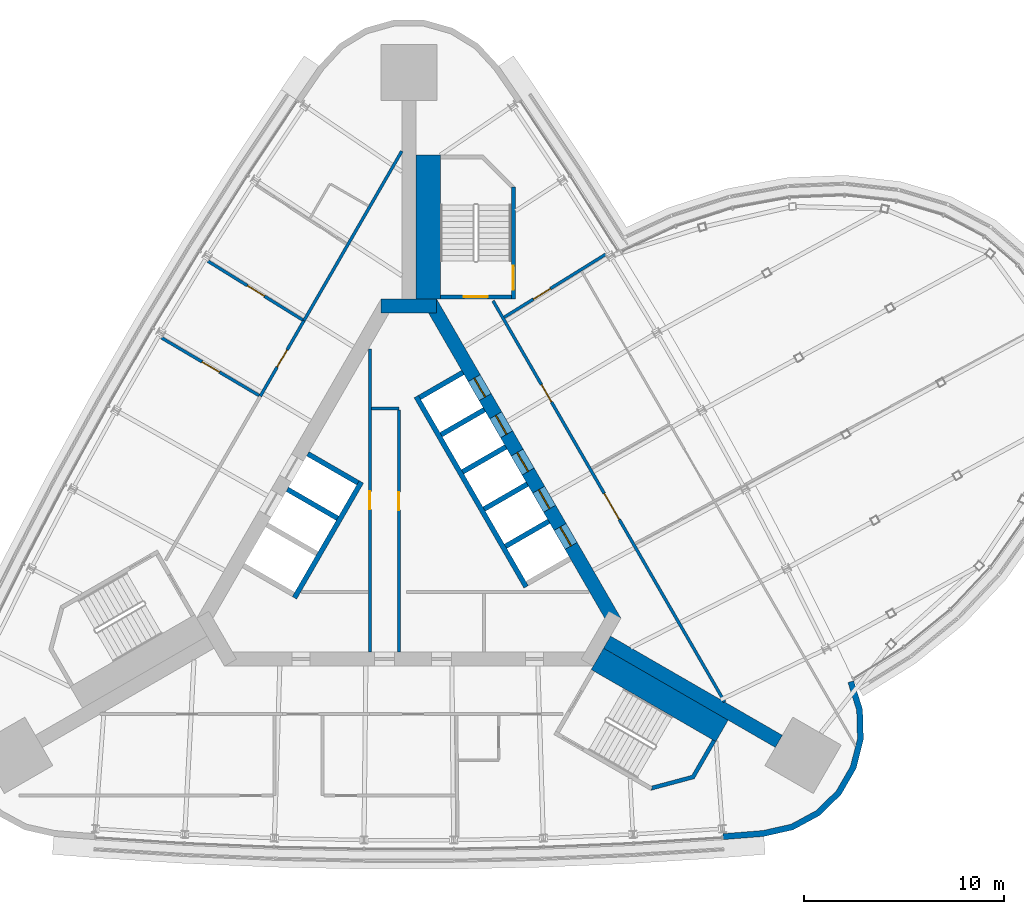
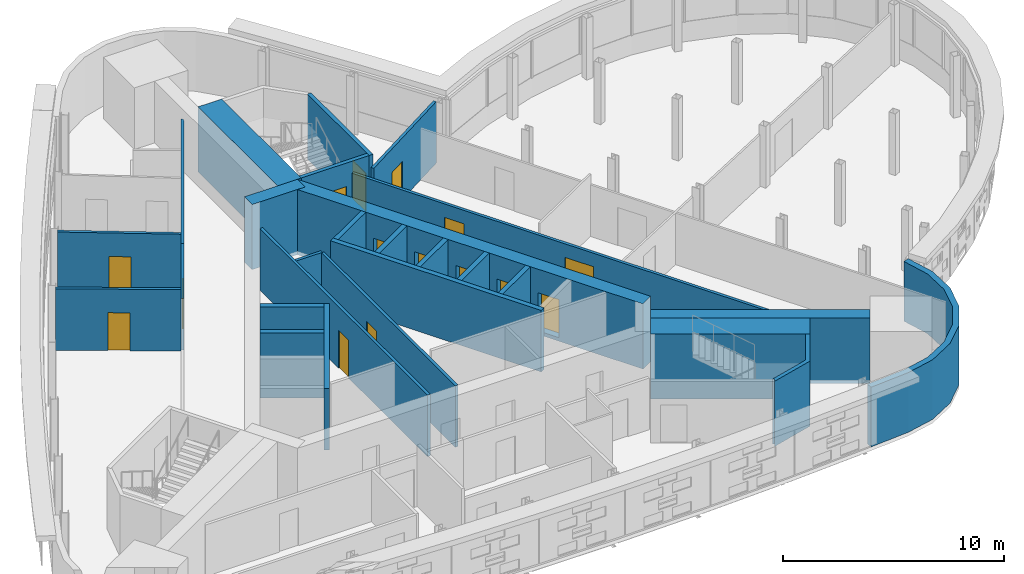
# One storey, part 11 of 15: 27 walls, 15 doors, 15 openings.
"""IFC4 building model written with IfcOpenShell, lengths in metres."""

from ifc_helpers import new_model, si_unit, direction, frame, frame_2d, origin, place, context, subcontext, project, spatial, polyline, rectangle, outline, extrude, material, layer, layer_set, type_object, element, fill, save


model = new_model("IFC4")

# Units and contexts
model_context = context("Model", 3, precision=1e-05, world=origin(), true_north=direction((0.0, 1.0)))
body_context = subcontext(model_context, "Body", "Model", "MODEL_VIEW")
ifc_project = project(units=[si_unit("LENGTHUNIT", "METRE"), si_unit("AREAUNIT", "SQUARE_METRE"), si_unit("VOLUMEUNIT", "CUBIC_METRE"), si_unit("PLANEANGLEUNIT", "RADIAN"), si_unit("MASSUNIT", "GRAM", prefix="KILO")], contexts=[model_context])

# Site, building, storey
site_placement = place(None, origin())
site = spatial("IfcSite", under=ifc_project, at=site_placement, CompositionType="ELEMENT")
building_placement = place(site_placement, origin())
building = spatial("IfcBuilding", under=site, at=building_placement, Name="Noor Cloister Tower", CompositionType="ELEMENT")
storey_placement = place(building_placement, frame((0.0, 0.0, 177.89990234375)))
storey = spatial("IfcBuildingStorey", under=building, at=storey_placement, Name="L45", CompositionType="ELEMENT", Elevation=177.89990234375)

# Wall
ifc_material_1 = material(Name="Concrete C70/85", Category="concrete")
ifc_layer_1 = layer(ifc_material_1, 0.699951171875)
ifc_layer_set_1 = layer_set([ifc_layer_1], Name="Buttress wall 700 C70/85")
wall_type_1 = type_object("IfcWallType", Name="Buttress wall 700 C70/85", PredefinedType="SHEAR", material=ifc_layer_set_1)
wall_1_placement = place(storey_placement, frame((9.921630859375, -5.728271484375, -0.199951171875), z_axis=(0.0, 0.0, 1.0), x_axis=(0.866029553954, -0.499992811627, 0.0)))
element("IfcWall", 1, at=wall_1_placement, inside=storey, type_object=wall_type_1, Name="Buttress wall SE L45", PredefinedType="SHEAR", context=body_context, shape_type="SweptSolid", body=[
    extrude(rectangle(XDim=9.927490234375, YDim=0.699951171875, at=frame_2d((4.9638671875, 0.0))), origin(), (0.0, 0.0, 1.0), 3.60009765625),
])

# Wall, opening, door
ifc_material_2 = material(Name="Concrete C30/37", Category="concrete")
ifc_layer_2 = layer(ifc_material_2, 0.14990234375)
ifc_layer_set_2 = layer_set([ifc_layer_2], Name="Core partition 150 C30/37")
wall_type_2 = type_object("IfcWallType", Name="Core partition 150 C30/37", PredefinedType="PARTITIONING", material=ifc_layer_set_2)
wall_2_placement = place(storey_placement, frame((-1.95361328125, 8.9423828125, 0.0), z_axis=(0.0, 0.0, 1.0), x_axis=(0.0, -1.0, 0.0)))
wall_2 = element("IfcWall", 2, at=wall_2_placement, inside=storey, type_object=wall_type_2, Name="Core room partition L45 2", PredefinedType="PARTITIONING", context=body_context, shape_type="SweptSolid", body=[
    extrude(rectangle(XDim=15.170654296875, YDim=0.14990234375, at=frame_2d((7.58544921875, 0.0))), origin(), (0.0, 0.0, 1.0), 3.400146484375),
])
opening_1_placement = place(wall_2_placement, frame((7.12060546875, 0.0, 0.0)))
opening_1 = element("IfcOpeningElement", 3, at=opening_1_placement, cuts=wall_2, Name="Opening L45-905", PredefinedType="OPENING", context=body_context, shape_type="SweptSolid", body=[
    extrude(rectangle(XDim=0.89990234375, YDim=2.10009765625, at=frame_2d((0.449951171875, 1.050048828125))), frame((0.0, 0.0849609375, 0.0), z_axis=(0.0, -1.0, 0.0), x_axis=(1.0, 0.0, 0.0)), (0.0, 0.0, 1.0), 0.169921875),
])
ifc_material_3 = material(Name="Steel", Category="steel")
door_type_1 = type_object("IfcDoorType", Name="Core door 900 x 2100 FD60", OperationType="SINGLE_SWING_LEFT", PredefinedType="DOOR", material=ifc_material_3)
door_1_placement = place(opening_1_placement, origin())
door_1 = element("IfcDoor", 4, at=door_1_placement, inside=storey, type_object=door_type_1, Name="Core door 5 L45", OperationType="SINGLE_SWING_LEFT", OverallHeight=2.10009765625, OverallWidth=0.89990234375, PredefinedType="DOOR", context=body_context, shape_type="SweptSolid", body=[
    extrude(rectangle(XDim=0.89990234375, YDim=2.10009765625, at=frame_2d((0.449951171875, 1.050048828125))), frame((0.0, 0.02490234375, 0.0), z_axis=(0.0, -1.0, 0.0), x_axis=(1.0, 0.0, 0.0)), (0.0, 0.0, 1.0), 0.050048828125),
])
fill(opening_1, door_1)

# Wall
wall_3_placement = place(storey_placement, frame((-1.878662109375, 5.9716796875, 0.0), z_axis=(0.0, 0.0, 1.0), x_axis=(1.0, 0.0, 0.0)))
element("IfcWall", 5, at=wall_3_placement, inside=storey, type_object=wall_type_2, Name="Core room partition L45 3", PredefinedType="PARTITIONING", context=body_context, shape_type="SweptSolid", body=[
    extrude(rectangle(XDim=1.375, YDim=0.14990234375, at=frame_2d((0.6875, 0.0))), origin(), (0.0, 0.0, 1.0), 3.400146484375),
])

# Wall, opening, door
wall_4_placement = place(storey_placement, frame((-0.503662109375, 5.896728515625, 0.0), z_axis=(0.0, 0.0, 1.0), x_axis=(0.0, -1.0, 0.0)))
wall_4 = element("IfcWall", 6, at=wall_4_placement, inside=storey, type_object=wall_type_2, Name="Core room partition L45 4", PredefinedType="PARTITIONING", context=body_context, shape_type="SweptSolid", body=[
    extrude(rectangle(XDim=12.125, YDim=0.14990234375, at=frame_2d((6.0625, 0.0))), origin(), (0.0, 0.0, 1.0), 3.400146484375),
])
opening_2_placement = place(wall_4_placement, frame((4.113525390625, 0.0, 0.0)))
opening_2 = element("IfcOpeningElement", 7, at=opening_2_placement, cuts=wall_4, Name="Opening L45-906", PredefinedType="OPENING", context=body_context, shape_type="SweptSolid", body=[
    extrude(rectangle(XDim=0.89990234375, YDim=2.10009765625, at=frame_2d((0.449951171875, 1.050048828125))), frame((0.0, 0.0849609375, 0.0), z_axis=(0.0, -1.0, 0.0), x_axis=(1.0, 0.0, 0.0)), (0.0, 0.0, 1.0), 0.169921875),
])
door_2_placement = place(opening_2_placement, origin())
door_2 = element("IfcDoor", 8, at=door_2_placement, inside=storey, type_object=door_type_1, Name="Core door 6 L45", OperationType="SINGLE_SWING_RIGHT", OverallHeight=2.10009765625, OverallWidth=0.89990234375, PredefinedType="DOOR", context=body_context, shape_type="SweptSolid", body=[
    extrude(rectangle(XDim=0.89990234375, YDim=2.10009765625, at=frame_2d((0.449951171875, 1.050048828125))), frame((0.0, 0.02490234375, 0.0), z_axis=(0.0, -1.0, 0.0), x_axis=(1.0, 0.0, 0.0)), (0.0, 0.0, 1.0), 0.050048828125),
])
fill(opening_2, door_2)

# Wall, openings, doors
ifc_material_4 = material(Name="Concrete C70/85", Category="concrete")
ifc_layer_3 = layer(ifc_material_4, 0.699951171875)
ifc_layer_set_3 = layer_set([ifc_layer_3], Name="Core wall 700 C70/85")
wall_type_3 = type_object("IfcWallType", Name="Core wall 700 C70/85", PredefinedType="SHEAR", material=ifc_layer_set_3)
wall_5_placement = place(storey_placement, frame((10.311279296875, -4.703125, -0.199951171875), z_axis=(0.0, 0.0, 1.0), x_axis=(-0.500001446645, 0.866024568562, 0.0)))
wall_5 = element("IfcWall", 9, at=wall_5_placement, inside=storey, type_object=wall_type_3, Name="Core wall L45 3", PredefinedType="SHEAR", context=body_context, shape_type="SweptSolid", body=[
    extrude(rectangle(XDim=18.45751953125, YDim=0.699951171875, at=frame_2d((9.228759765625, 0.0))), origin(), (0.0, 0.0, 1.0), 3.60009765625),
])
opening_3_placement = place(wall_5_placement, frame((4.378662109375, 0.0, 0.199951171875)))
opening_3 = element("IfcOpeningElement", 10, at=opening_3_placement, cuts=wall_5, Name="Opening L45-HR1", PredefinedType="OPENING", context=body_context, shape_type="SweptSolid", body=[
    extrude(rectangle(XDim=1.10009765625, YDim=2.10009765625, at=frame_2d((0.550048828125, 1.050048828125))), frame((0.0, 0.35986328125, 0.0), z_axis=(0.0, -1.0, 0.0), x_axis=(1.0, 0.0, 0.0)), (0.0, 0.0, 1.0), 0.719970703125),
])
opening_4_placement = place(wall_5_placement, frame((6.52880859375, 0.0, 0.199951171875)))
opening_4 = element("IfcOpeningElement", 11, at=opening_4_placement, cuts=wall_5, Name="Opening L45-HR2", PredefinedType="OPENING", context=body_context, shape_type="SweptSolid", body=[
    extrude(rectangle(XDim=1.10009765625, YDim=2.10009765625, at=frame_2d((0.550048828125, 1.050048828125))), frame((0.0, 0.35986328125, 0.0), z_axis=(0.0, -1.0, 0.0), x_axis=(1.0, 0.0, 0.0)), (0.0, 0.0, 1.0), 0.719970703125),
])
opening_5_placement = place(wall_5_placement, frame((8.6787109375, 0.0, 0.199951171875)))
opening_5 = element("IfcOpeningElement", 12, at=opening_5_placement, cuts=wall_5, Name="Opening L45-HR3", PredefinedType="OPENING", context=body_context, shape_type="SweptSolid", body=[
    extrude(rectangle(XDim=1.10009765625, YDim=2.10009765625, at=frame_2d((0.550048828125, 1.050048828125))), frame((0.0, 0.35986328125, 0.0), z_axis=(0.0, -1.0, 0.0), x_axis=(1.0, 0.0, 0.0)), (0.0, 0.0, 1.0), 0.719970703125),
])
opening_6_placement = place(wall_5_placement, frame((10.82861328125, 0.0, 0.199951171875)))
opening_6 = element("IfcOpeningElement", 13, at=opening_6_placement, cuts=wall_5, Name="Opening L45-HR4", PredefinedType="OPENING", context=body_context, shape_type="SweptSolid", body=[
    extrude(rectangle(XDim=1.10009765625, YDim=2.10009765625, at=frame_2d((0.550048828125, 1.050048828125))), frame((0.0, 0.35986328125, 0.0), z_axis=(0.0, -1.0, 0.0), x_axis=(1.0, 0.0, 0.0)), (0.0, 0.0, 1.0), 0.719970703125),
])
opening_7_placement = place(wall_5_placement, frame((12.978759765625, 0.0, 0.199951171875)))
opening_7 = element("IfcOpeningElement", 14, at=opening_7_placement, cuts=wall_5, Name="Opening L45-HR5", PredefinedType="OPENING", context=body_context, shape_type="SweptSolid", body=[
    extrude(rectangle(XDim=1.10009765625, YDim=2.10009765625, at=frame_2d((0.550048828125, 1.050048828125))), frame((0.0, 0.35986328125, 0.0), z_axis=(0.0, -1.0, 0.0), x_axis=(1.0, 0.0, 0.0)), (0.0, 0.0, 1.0), 0.719970703125),
])
ifc_material_5 = material(Name="Stainless steel", Category="steel")
door_type_2 = type_object("IfcDoorType", Name="Lift landing door 1100 x 2100", OperationType="DOUBLE_DOOR_SLIDING", PredefinedType="DOOR", material=ifc_material_5)
door_3_placement = place(opening_3_placement, origin())
door_3 = element("IfcDoor", 15, at=door_3_placement, inside=storey, type_object=door_type_2, Name="Landing door HR1 L45", OperationType="DOUBLE_DOOR_SLIDING", OverallHeight=2.10009765625, OverallWidth=1.10009765625, PredefinedType="DOOR", context=body_context, shape_type="SweptSolid", body=[
    extrude(rectangle(XDim=1.10009765625, YDim=2.10009765625, at=frame_2d((0.550048828125, 1.050048828125))), frame((0.0, 0.02490234375, 0.0), z_axis=(0.0, -1.0, 0.0), x_axis=(1.0, 0.0, 0.0)), (0.0, 0.0, 1.0), 0.050048828125),
])
fill(opening_3, door_3)
door_4_placement = place(opening_4_placement, origin())
door_4 = element("IfcDoor", 16, at=door_4_placement, inside=storey, type_object=door_type_2, Name="Landing door HR2 L45", OperationType="DOUBLE_DOOR_SLIDING", OverallHeight=2.10009765625, OverallWidth=1.10009765625, PredefinedType="DOOR", context=body_context, shape_type="SweptSolid", body=[
    extrude(rectangle(XDim=1.10009765625, YDim=2.10009765625, at=frame_2d((0.550048828125, 1.050048828125))), frame((0.0, 0.02490234375, 0.0), z_axis=(0.0, -1.0, 0.0), x_axis=(1.0, 0.0, 0.0)), (0.0, 0.0, 1.0), 0.050048828125),
])
fill(opening_4, door_4)
door_5_placement = place(opening_5_placement, origin())
door_5 = element("IfcDoor", 17, at=door_5_placement, inside=storey, type_object=door_type_2, Name="Landing door HR3 L45", OperationType="DOUBLE_DOOR_SLIDING", OverallHeight=2.10009765625, OverallWidth=1.10009765625, PredefinedType="DOOR", context=body_context, shape_type="SweptSolid", body=[
    extrude(rectangle(XDim=1.10009765625, YDim=2.10009765625, at=frame_2d((0.550048828125, 1.050048828125))), frame((0.0, 0.02490234375, 0.0), z_axis=(0.0, -1.0, 0.0), x_axis=(1.0, 0.0, 0.0)), (0.0, 0.0, 1.0), 0.050048828125),
])
fill(opening_5, door_5)
door_6_placement = place(opening_6_placement, origin())
door_6 = element("IfcDoor", 18, at=door_6_placement, inside=storey, type_object=door_type_2, Name="Landing door HR4 L45", OperationType="DOUBLE_DOOR_SLIDING", OverallHeight=2.10009765625, OverallWidth=1.10009765625, PredefinedType="DOOR", context=body_context, shape_type="SweptSolid", body=[
    extrude(rectangle(XDim=1.10009765625, YDim=2.10009765625, at=frame_2d((0.550048828125, 1.050048828125))), frame((0.0, 0.02490234375, 0.0), z_axis=(0.0, -1.0, 0.0), x_axis=(1.0, 0.0, 0.0)), (0.0, 0.0, 1.0), 0.050048828125),
])
fill(opening_6, door_6)
door_7_placement = place(opening_7_placement, origin())
door_7 = element("IfcDoor", 19, at=door_7_placement, inside=storey, type_object=door_type_2, Name="Landing door HR5 L45", OperationType="DOUBLE_DOOR_SLIDING", OverallHeight=2.10009765625, OverallWidth=1.10009765625, PredefinedType="DOOR", context=body_context, shape_type="SweptSolid", body=[
    extrude(rectangle(XDim=1.10009765625, YDim=2.10009765625, at=frame_2d((0.550048828125, 1.050048828125))), frame((0.0, 0.02490234375, 0.0), z_axis=(0.0, -1.0, 0.0), x_axis=(1.0, 0.0, 0.0)), (0.0, 0.0, 1.0), 0.050048828125),
])
fill(opening_7, door_7)

# Walls
wall_6_placement = place(storey_placement, frame((1.3857421875, 11.1064453125, -0.199951171875), z_axis=(0.0, 0.0, 1.0), x_axis=(-1.0, 0.0, 0.0)))
element("IfcWall", 20, at=wall_6_placement, inside=storey, type_object=wall_type_3, Name="Core wall L45 4", PredefinedType="SHEAR", context=body_context, shape_type="SweptSolid", body=[
    extrude(rectangle(XDim=2.771484375, YDim=0.699951171875, at=frame_2d((1.3857421875, 0.0))), origin(), (0.0, 0.0, 1.0), 3.60009765625),
])
ifc_material_6 = material(Name="Fire-rated gypsum board partition on steel studs, 150 mm", Category="steel")
ifc_layer_4 = layer(ifc_material_6, 0.14990234375)
ifc_layer_set_4 = layer_set([ifc_layer_4], Name="Fire lobby wall 150")
wall_type_4 = type_object("IfcWallType", Name="Fire lobby wall 150", PredefinedType="PARTITIONING", material=ifc_layer_set_4)
wall_7_placement = place(storey_placement, frame((-0.35009765625, 18.85009765625, 0.0), z_axis=(0.0, 0.0, 1.0), x_axis=(-0.499985463203, -0.866033796445, 0.0)))
element("IfcWall", 21, at=wall_7_placement, inside=storey, type_object=wall_type_4, Name="Wall L45-W18", PredefinedType="PARTITIONING", context=body_context, shape_type="SweptSolid", body=[
    extrude(rectangle(XDim=9.802978515625, YDim=0.14990234375, at=frame_2d((4.9013671875, 0.0))), origin(), (0.0, 0.0, 1.0), 2.84716796875),
])

# Wall, opening, door
wall_8_placement = place(storey_placement, frame((-5.25146484375, 10.3603515625, 0.0), z_axis=(0.0, 0.0, 1.0), x_axis=(-0.500012937857, -0.86601793398, 0.0)))
wall_8 = element("IfcWall", 22, at=wall_8_placement, inside=storey, type_object=wall_type_4, Name="Wall L45-W22", PredefinedType="PARTITIONING", context=body_context, shape_type="SweptSolid", body=[
    extrude(rectangle(XDim=4.365234375, YDim=0.14990234375, at=frame_2d((2.1826171875, 0.0))), origin(), (0.0, 0.0, 1.0), 2.84716796875),
])
opening_8_placement = place(wall_8_placement, frame((1.6826171875, 0.0, 0.0)))
opening_8 = element("IfcOpeningElement", 23, at=opening_8_placement, cuts=wall_8, Name="Opening L45-015", PredefinedType="OPENING", context=body_context, shape_type="SweptSolid", body=[
    extrude(rectangle(XDim=1.0, YDim=2.10009765625, at=frame_2d((0.5, 1.050048828125))), frame((0.0, 0.0849609375, 0.0), z_axis=(0.0, -1.0, 0.0), x_axis=(1.0, 0.0, 0.0)), (0.0, 0.0, 1.0), 0.169921875),
])
ifc_material_7 = material(Name="Timber door leaf with steel frame", Category="steel")
door_type_3 = type_object("IfcDoorType", Name="Fire lobby door 1000", OperationType="NOTDEFINED", PredefinedType="DOOR", material=ifc_material_7)
door_8_placement = place(opening_8_placement, origin())
door_8 = element("IfcDoor", 24, at=door_8_placement, inside=storey, type_object=door_type_3, Name="Door L45-015", OperationType="SINGLE_SWING_LEFT", OverallHeight=2.10009765625, OverallWidth=1.0, PredefinedType="DOOR", context=body_context, shape_type="SweptSolid", body=[
    extrude(rectangle(XDim=1.0, YDim=2.10009765625, at=frame_2d((0.5, 1.050048828125))), frame((0.0, 0.02490234375, 0.0), z_axis=(0.0, -1.0, 0.0), x_axis=(1.0, 0.0, 0.0)), (0.0, 0.0, 1.0), 0.050048828125),
])
fill(opening_8, door_8)

# Wall, openings, doors
ifc_material_8 = material(Name="Gypsum board partition on steel studs, 150 mm", Category="steel")
ifc_layer_5 = layer(ifc_material_8, 0.14990234375)
ifc_layer_set_5 = layer_set([ifc_layer_5], Name="Flat wall 150")
wall_type_5 = type_object("IfcWallType", Name="Flat wall 150", PredefinedType="PARTITIONING", material=ifc_layer_set_5)
wall_9_placement = place(storey_placement, frame((15.806884765625, -8.721923828125, 0.0), z_axis=(0.0, 0.0, 1.0), x_axis=(-0.500001078133, 0.866024781323, 0.0)))
wall_9 = element("IfcWall", 25, at=wall_9_placement, inside=storey, type_object=wall_type_5, Name="Wall L45-W01", PredefinedType="PARTITIONING", context=body_context, shape_type="SweptSolid", body=[
    extrude(rectangle(XDim=23.1845703125, YDim=0.14990234375, at=frame_2d((11.59228515625, 0.0))), origin(), (0.0, 0.0, 1.0), 2.84716796875),
])
opening_9_placement = place(wall_9_placement, frame((10.55126953125, 0.0, 0.0)))
opening_9 = element("IfcOpeningElement", 26, at=opening_9_placement, cuts=wall_9, Name="Opening L45-001", PredefinedType="OPENING", context=body_context, shape_type="SweptSolid", body=[
    extrude(rectangle(XDim=1.5, YDim=2.10009765625, at=frame_2d((0.75, 1.050048828125))), frame((0.0, 0.0849609375, 0.0), z_axis=(0.0, -1.0, 0.0), x_axis=(1.0, 0.0, 0.0)), (0.0, 0.0, 1.0), 0.169921875),
])
opening_10_placement = place(wall_9_placement, frame((17.335205078125, 0.0, 0.0)))
opening_10 = element("IfcOpeningElement", 27, at=opening_10_placement, cuts=wall_9, Name="Opening L45-006", PredefinedType="OPENING", context=body_context, shape_type="SweptSolid", body=[
    extrude(rectangle(XDim=1.0, YDim=2.10009765625, at=frame_2d((0.5, 1.050048828125))), frame((0.0, 0.0849609375, 0.0), z_axis=(0.0, -1.0, 0.0), x_axis=(1.0, 0.0, 0.0)), (0.0, 0.0, 1.0), 0.169921875),
])
ifc_material_9 = material(Name="Timber door leaf with steel frame", Category="steel")
door_type_4 = type_object("IfcDoorType", Name="Double door 1500 FD60", OperationType="NOTDEFINED", PredefinedType="DOOR", material=ifc_material_9)
door_9_placement = place(opening_9_placement, origin())
door_9 = element("IfcDoor", 28, at=door_9_placement, inside=storey, type_object=door_type_4, Name="Door L45-001", OperationType="DOUBLE_DOOR_SINGLE_SWING", OverallHeight=2.10009765625, OverallWidth=1.5, PredefinedType="DOOR", context=body_context, shape_type="SweptSolid", body=[
    extrude(rectangle(XDim=1.5, YDim=2.10009765625, at=frame_2d((0.75, 1.050048828125))), frame((0.0, 0.02490234375, 0.0), z_axis=(0.0, -1.0, 0.0), x_axis=(1.0, 0.0, 0.0)), (0.0, 0.0, 1.0), 0.050048828125),
])
fill(opening_9, door_9)
ifc_material_10 = material(Name="Timber door leaf with steel frame", Category="steel")
door_type_5 = type_object("IfcDoorType", Name="Interior door 1000 FD60", OperationType="NOTDEFINED", PredefinedType="DOOR", material=ifc_material_10)
door_10_placement = place(opening_10_placement, origin())
door_10 = element("IfcDoor", 29, at=door_10_placement, inside=storey, type_object=door_type_5, Name="Door L45-006", OperationType="SINGLE_SWING_RIGHT", OverallHeight=2.10009765625, OverallWidth=1.0, PredefinedType="DOOR", context=body_context, shape_type="SweptSolid", body=[
    extrude(rectangle(XDim=1.0, YDim=2.10009765625, at=frame_2d((0.5, 1.050048828125))), frame((0.0, 0.02490234375, 0.0), z_axis=(0.0, -1.0, 0.0), x_axis=(1.0, 0.0, 0.0)), (0.0, 0.0, 1.0), 0.050048828125),
])
fill(opening_10, door_10)

# Wall, opening, door
wall_10_placement = place(storey_placement, frame((9.85595703125, 13.6884765625, 0.0), z_axis=(0.0, 0.0, 1.0), x_axis=(-0.849698198213, -0.527269354271, 0.0)))
wall_10 = element("IfcWall", 30, at=wall_10_placement, inside=storey, type_object=wall_type_5, Name="Wall L45-W02", PredefinedType="PARTITIONING", context=body_context, shape_type="SweptSolid", body=[
    extrude(rectangle(XDim=5.9794921875, YDim=0.14990234375, at=frame_2d((2.98974609375, 0.0))), origin(), (0.0, 0.0, 1.0), 3.400146484375),
])
opening_11_placement = place(wall_10_placement, frame((3.263671875, 0.0, 0.0)))
opening_11 = element("IfcOpeningElement", 31, at=opening_11_placement, cuts=wall_10, Name="Opening L45-007", PredefinedType="OPENING", context=body_context, shape_type="SweptSolid", body=[
    extrude(rectangle(XDim=1.0, YDim=2.10009765625, at=frame_2d((0.5, 1.050048828125))), frame((0.0, 0.0849609375, 0.0), z_axis=(0.0, -1.0, 0.0), x_axis=(1.0, 0.0, 0.0)), (0.0, 0.0, 1.0), 0.169921875),
])
door_11_placement = place(opening_11_placement, origin())
door_11 = element("IfcDoor", 32, at=door_11_placement, inside=storey, type_object=door_type_5, Name="Door L45-007", OperationType="SINGLE_SWING_LEFT", OverallHeight=2.10009765625, OverallWidth=1.0, PredefinedType="DOOR", context=body_context, shape_type="SweptSolid", body=[
    extrude(rectangle(XDim=1.0, YDim=2.10009765625, at=frame_2d((0.5, 1.050048828125))), frame((0.0, 0.02490234375, 0.0), z_axis=(0.0, -1.0, 0.0), x_axis=(1.0, 0.0, 0.0)), (0.0, 0.0, 1.0), 0.050048828125),
])
fill(opening_11, door_11)

wall_11_placement = place(storey_placement, frame((-10.06689453125, 13.348388671875, 0.0), z_axis=(0.0, 0.0, 1.0), x_axis=(0.84969615017, -0.527272654692, 0.0)))
wall_11 = element("IfcWall", 33, at=wall_11_placement, inside=storey, type_object=wall_type_5, Name="Wall L45-W20", PredefinedType="PARTITIONING", context=body_context, shape_type="SweptSolid", body=[
    extrude(rectangle(XDim=5.592041015625, YDim=0.14990234375, at=frame_2d((2.7958984375, 0.0))), origin(), (0.0, 0.0, 1.0), 3.400146484375),
])
opening_12_placement = place(wall_11_placement, frame((2.33349609375, 0.0, 0.0)))
opening_12 = element("IfcOpeningElement", 34, at=opening_12_placement, cuts=wall_11, Name="Opening L45-018", PredefinedType="OPENING", context=body_context, shape_type="SweptSolid", body=[
    extrude(rectangle(XDim=1.0, YDim=2.10009765625, at=frame_2d((0.5, 1.050048828125))), frame((0.0, 0.0849609375, 0.0), z_axis=(0.0, -1.0, 0.0), x_axis=(1.0, 0.0, 0.0)), (0.0, 0.0, 1.0), 0.169921875),
])
ifc_material_11 = material(Name="Timber door leaf with steel frame", Category="steel")
door_type_6 = type_object("IfcDoorType", Name="Flat entrance door 1000", OperationType="NOTDEFINED", PredefinedType="DOOR", material=ifc_material_11)
door_12_placement = place(opening_12_placement, origin())
door_12 = element("IfcDoor", 35, at=door_12_placement, inside=storey, type_object=door_type_6, Name="Door L45-018", OperationType="SINGLE_SWING_RIGHT", OverallHeight=2.10009765625, OverallWidth=1.0, PredefinedType="DOOR", context=body_context, shape_type="SweptSolid", body=[
    extrude(rectangle(XDim=1.0, YDim=2.10009765625, at=frame_2d((0.5, 1.050048828125))), frame((0.0, 0.02490234375, 0.0), z_axis=(0.0, -1.0, 0.0), x_axis=(1.0, 0.0, 0.0)), (0.0, 0.0, 1.0), 0.050048828125),
])
fill(opening_12, door_12)

wall_12_placement = place(storey_placement, frame((-12.3876953125, 9.510498046875, 0.0), z_axis=(0.0, 0.0, 1.0), x_axis=(0.860691995407, -0.509126005073, 0.0)))
wall_12 = element("IfcWall", 36, at=wall_12_placement, inside=storey, type_object=wall_type_5, Name="Wall L45-W21", PredefinedType="PARTITIONING", context=body_context, shape_type="SweptSolid", body=[
    extrude(rectangle(XDim=5.680419921875, YDim=0.14990234375, at=frame_2d((2.84033203125, 0.0))), origin(), (0.0, 0.0, 1.0), 3.400146484375),
])
opening_13_placement = place(wall_12_placement, frame((2.377685546875, 0.0, 0.0)))
opening_13 = element("IfcOpeningElement", 37, at=opening_13_placement, cuts=wall_12, Name="Opening L45-019", PredefinedType="OPENING", context=body_context, shape_type="SweptSolid", body=[
    extrude(rectangle(XDim=1.0, YDim=2.10009765625, at=frame_2d((0.5, 1.050048828125))), frame((0.0, 0.0849609375, 0.0), z_axis=(0.0, -1.0, 0.0), x_axis=(1.0, 0.0, 0.0)), (0.0, 0.0, 1.0), 0.169921875),
])
door_13_placement = place(opening_13_placement, origin())
door_13 = element("IfcDoor", 38, at=door_13_placement, inside=storey, type_object=door_type_5, Name="Door L45-019", OperationType="SINGLE_SWING_LEFT", OverallHeight=2.10009765625, OverallWidth=1.0, PredefinedType="DOOR", context=body_context, shape_type="SweptSolid", body=[
    extrude(rectangle(XDim=1.0, YDim=2.10009765625, at=frame_2d((0.5, 1.050048828125))), frame((0.0, 0.02490234375, 0.0), z_axis=(0.0, -1.0, 0.0), x_axis=(1.0, 0.0, 0.0)), (0.0, 0.0, 1.0), 0.050048828125),
])
fill(opening_13, door_13)

# Walls
ifc_material_12 = material(Name="Limestone", Category="masonry")
ifc_layer_6 = layer(ifc_material_12, 0.300048828125)
ifc_layer_set_6 = layer_set([ifc_layer_6], Name="Limestone cladding 300")
wall_type_6 = type_object("IfcWallType", Name="Limestone cladding 300", PredefinedType="NOTDEFINED", material=ifc_layer_set_6)
wall_13_placement = place(storey_placement, origin())
element("IfcWall", 39, at=wall_13_placement, inside=storey, type_object=wall_type_6, Name="Limestone pier cladding L45 2.1", PredefinedType="NOTDEFINED", context=body_context, shape_type="SweptSolid", body=[
    extrude(outline(polyline([(15.735595703125, -15.611572265625), (17.76806640625, -15.450927734375), (19.234130859375, -15.120849609375), (20.55517578125, -14.405029296875), (21.632080078125, -13.35693359375), (22.38330078125, -12.055419921875), (22.752685546875, -10.598876953125), (22.712158203125, -9.096923828125), (22.264892578125, -7.662353515625), (21.978515625, -7.75146484375), (22.413330078125, -9.146484375), (22.45166015625, -10.5654296875), (22.102783203125, -11.94140625), (21.39306640625, -13.1708984375), (20.375732421875, -14.160888671875), (19.127685546875, -14.83740234375), (17.72314453125, -15.153564453125), (15.7119140625, -15.3125), (15.735595703125, -15.611572265625)])), origin(), (0.0, 0.0, 1.0), 3.300048828125),
])
ifc_material_13 = material(Name="Concrete C70/85", Category="concrete")
ifc_layer_7 = layer(ifc_material_13, 0.25)
ifc_layer_set_7 = layer_set([ifc_layer_7], Name="Shaft wall 250 C70/85")
wall_type_7 = type_object("IfcWallType", Name="Shaft wall 250 C70/85", PredefinedType="PARTITIONING", material=ifc_layer_set_7)
wall_14_placement = place(storey_placement, frame((7.00634765625, 0.3212890625, -0.199951171875), z_axis=(0.0, 0.0, 1.0), x_axis=(-0.866022959057, -0.500004234368, 0.0)))
element("IfcWall", 40, at=wall_14_placement, inside=storey, type_object=wall_type_7, Name="Lift shaft wall L45 NE 2", PredefinedType="PARTITIONING", context=body_context, shape_type="SweptSolid", body=[
    extrude(rectangle(XDim=2.5, YDim=0.25, at=frame_2d((1.25, 0.0))), origin(), (0.0, 0.0, 1.0), 3.60009765625),
])
wall_15_placement = place(storey_placement, frame((5.931396484375, 2.18310546875, -0.199951171875), z_axis=(0.0, 0.0, 1.0), x_axis=(-0.866047370643, -0.499961950354, 0.0)))
element("IfcWall", 41, at=wall_15_placement, inside=storey, type_object=wall_type_7, Name="Lift shaft wall L45 NE 3", PredefinedType="PARTITIONING", context=body_context, shape_type="SweptSolid", body=[
    extrude(rectangle(XDim=2.500244140625, YDim=0.25, at=frame_2d((1.25, 0.0))), origin(), (0.0, 0.0, 1.0), 3.60009765625),
])
for number, where, z_axis, x_axis, name in (
    (42, (4.856201171875, 4.045166015625, -0.199951171875), (0.0, 0.0, 1.0), (-0.866022959057, -0.500004234368, 0.0), "Lift shaft wall L45 NE 4"),
    (43, (3.78125, 5.906982421875, -0.199951171875), (0.0, 0.0, 1.0), (-0.866022959057, -0.500004234368, 0.0), "Lift shaft wall L45 NE 5"),
    (44, (2.706298828125, 7.76904296875, -0.199951171875), (0.0, 0.0, 1.0), (-0.866022959057, -0.500004234368, 0.0), "Lift shaft wall L45 NE 6"),
):
    element("IfcWall", number, at=place(storey_placement, frame(where, z_axis=z_axis, x_axis=x_axis)), inside=storey, type_object=wall_type_7, Name=name, PredefinedType="PARTITIONING", context=body_context, shape_type="SweptSolid", body=[
        extrude(rectangle(XDim=2.5, YDim=0.25, at=frame_2d((1.25, 0.0))), origin(), (0.0, 0.0, 1.0), 3.60009765625),
    ])
wall_16_placement = place(storey_placement, frame((5.870361328125, -2.96142578125, 0.0), z_axis=(0.0, 0.0, 1.0), x_axis=(-0.50000615651, 0.866021849293, 0.0)))
element("IfcWall", 45, at=wall_16_placement, inside=storey, type_object=wall_type_7, Name="Lift shaft back wall L45 NE", PredefinedType="PARTITIONING", context=body_context, shape_type="SweptSolid", body=[
    extrude(rectangle(XDim=10.999755859375, YDim=0.25, at=frame_2d((5.5, 0.0))), origin(), (0.0, 0.0, 1.0), 3.400146484375),
])
for number, where, z_axis, x_axis, name in (
    (46, (-5.056396484375, 3.69873046875, -0.199951171875), (0.0, 0.0, 1.0), (0.866032775405, -0.499987231761, 0.0), "Lift shaft wall L45 NW 3"),
    (47, (-6.081298828125, 1.92333984375, -0.199951171875), (0.0, 0.0, 1.0), (0.866032775405, -0.499987231761, 0.0), "Lift shaft wall L45 NW 4"),
):
    element("IfcWall", number, at=place(storey_placement, frame(where, z_axis=z_axis, x_axis=x_axis)), inside=storey, type_object=wall_type_7, Name=name, PredefinedType="PARTITIONING", context=body_context, shape_type="SweptSolid", body=[
        extrude(rectangle(XDim=2.89990234375, YDim=0.25, at=frame_2d((1.449951171875, 0.0))), origin(), (0.0, 0.0, 1.0), 3.60009765625),
    ])
wall_17_placement = place(storey_placement, frame((-2.3740234375, 2.29443359375, 0.0), z_axis=(0.0, 0.0, 1.0), x_axis=(-0.500003174267, -0.866023571113, 0.0)))
element("IfcWall", 48, at=wall_17_placement, inside=storey, type_object=wall_type_7, Name="Lift shaft back wall L45 NW", PredefinedType="PARTITIONING", context=body_context, shape_type="SweptSolid", body=[
    extrude(rectangle(XDim=6.7001953125, YDim=0.25, at=frame_2d((3.35009765625, 0.0))), origin(), (0.0, 0.0, 1.0), 3.400146484375),
])
ifc_material_14 = material(Name="Concrete C70/85", Category="concrete")
ifc_layer_8 = layer(ifc_material_14, 1.236083984375)
ifc_layer_set_8 = layer_set([ifc_layer_8], Name="Stair enclosure wall 1236 C70/85")
wall_type_8 = type_object("IfcWallType", Name="Stair enclosure wall 1236 C70/85", PredefinedType="SHEAR", material=ifc_layer_set_8)
for number, where, z_axis, x_axis, name in (
    (49, (0.9677734375, 11.456298828125, -0.199951171875), (0.0, 0.0, 1.0), (0.0, 1.0, 0.0), "Stair enclosure wall ST1 L45 riser side"),
    (50, (9.4375, -6.56640625, -0.199951171875), (0.0, 0.0, 1.0), (0.866026919366, -0.499997374926, 0.0), "Stair enclosure wall ST3 L45 riser side"),
):
    element("IfcWall", number, at=place(storey_placement, frame(where, z_axis=z_axis, x_axis=x_axis)), inside=storey, type_object=wall_type_8, Name=name, PredefinedType="SHEAR", context=body_context, shape_type="SweptSolid", body=[
        extrude(rectangle(XDim=7.2001953125, YDim=1.235595703125, at=frame_2d((3.60009765625, 0.0))), origin(), (0.0, 0.0, 1.0), 3.60009765625),
    ])

# Wall, opening, door
ifc_material_15 = material(Name="Concrete C70/85", Category="concrete")
ifc_layer_9 = layer(ifc_material_15, 0.199951171875)
ifc_layer_set_9 = layer_set([ifc_layer_9], Name="Stair enclosure wall 200 C70/85")
wall_type_9 = type_object("IfcWallType", Name="Stair enclosure wall 200 C70/85", PredefinedType="SHEAR", material=ifc_layer_set_9)
wall_18_placement = place(storey_placement, frame((5.135498046875, 11.556396484375, -0.199951171875), z_axis=(0.0, 0.0, 1.0), x_axis=(-1.0, 0.0, 0.0)))
wall_18 = element("IfcWall", 51, at=wall_18_placement, inside=storey, type_object=wall_type_9, Name="Stair enclosure wall ST1 L45 near end", PredefinedType="SHEAR", context=body_context, shape_type="SweptSolid", body=[
    extrude(rectangle(XDim=3.5498046875, YDim=0.199951171875, at=frame_2d((1.77490234375, 0.0))), origin(), (0.0, 0.0, 1.0), 3.60009765625),
])
opening_14_placement = place(wall_18_placement, frame((1.175048828125, 0.0, 0.199951171875)))
opening_14 = element("IfcOpeningElement", 52, at=opening_14_placement, cuts=wall_18, Name="Opening L45-ST1L", PredefinedType="OPENING", context=body_context, shape_type="SweptSolid", body=[
    extrude(rectangle(XDim=1.199951171875, YDim=2.10009765625, at=frame_2d((0.60009765625, 1.050048828125))), frame((0.0, 0.10986328125, 0.0), z_axis=(0.0, -1.0, 0.0), x_axis=(1.0, 0.0, 0.0)), (0.0, 0.0, 1.0), 0.219970703125),
])
ifc_material_16 = material(Name="Steel", Category="steel")
door_type_7 = type_object("IfcDoorType", Name="Stair door 1200 x 2100 FD120", OperationType="SINGLE_SWING_LEFT", PredefinedType="DOOR", material=ifc_material_16)
door_14_placement = place(opening_14_placement, origin())
door_14 = element("IfcDoor", 53, at=door_14_placement, inside=storey, type_object=door_type_7, Name="Stair door ST1 L45", OperationType="SINGLE_SWING_RIGHT", OverallHeight=2.10009765625, OverallWidth=1.199951171875, PredefinedType="DOOR", context=body_context, shape_type="SweptSolid", body=[
    extrude(rectangle(XDim=1.199951171875, YDim=2.10009765625, at=frame_2d((0.60009765625, 1.050048828125))), frame((0.0, 0.02490234375, 0.0), z_axis=(0.0, -1.0, 0.0), x_axis=(1.0, 0.0, 0.0)), (0.0, 0.0, 1.0), 0.050048828125),
])
fill(opening_14, door_14)

wall_19_placement = place(storey_placement, frame((5.235595703125, 11.456298828125, -0.199951171875), z_axis=(0.0, 0.0, 1.0), x_axis=(0.0, 1.0, 0.0)))
wall_19 = element("IfcWall", 54, at=wall_19_placement, inside=storey, type_object=wall_type_9, Name="Stair enclosure wall ST1 L45 outer side", PredefinedType="SHEAR", context=body_context, shape_type="SweptSolid", body=[
    extrude(rectangle(XDim=5.60009765625, YDim=0.199951171875, at=frame_2d((2.800048828125, 0.0))), origin(), (0.0, 0.0, 1.0), 3.60009765625),
])
opening_15_placement = place(wall_19_placement, frame((0.449951171875, 0.0, 0.199951171875)))
opening_15 = element("IfcOpeningElement", 55, at=opening_15_placement, cuts=wall_19, Name="Opening L45-ST1C", PredefinedType="OPENING", context=body_context, shape_type="SweptSolid", body=[
    extrude(rectangle(XDim=1.199951171875, YDim=2.10009765625, at=frame_2d((0.60009765625, 1.050048828125))), frame((0.0, 0.10986328125, 0.0), z_axis=(0.0, -1.0, 0.0), x_axis=(1.0, 0.0, 0.0)), (0.0, 0.0, 1.0), 0.219970703125),
])
door_15_placement = place(opening_15_placement, origin())
door_15 = element("IfcDoor", 56, at=door_15_placement, inside=storey, type_object=door_type_7, Name="Stair door ST1 L45", OperationType="SINGLE_SWING_LEFT", OverallHeight=2.10009765625, OverallWidth=1.199951171875, PredefinedType="DOOR", context=body_context, shape_type="SweptSolid", body=[
    extrude(rectangle(XDim=1.199951171875, YDim=2.10009765625, at=frame_2d((0.60009765625, 1.050048828125))), frame((0.0, 0.02490234375, 0.0), z_axis=(0.0, -1.0, 0.0), x_axis=(1.0, 0.0, 0.0)), (0.0, 0.0, 1.0), 0.050048828125),
])
fill(opening_15, door_15)

# Wall
ifc_material_17 = material(Name="Concrete C70/85", Category="concrete")
wall_type_10 = type_object("IfcWallType", Name="Stair far end wall C70/85", PredefinedType="SHEAR", material=ifc_material_17)
wall_20_placement = place(storey_placement, frame((0.0, 0.0, -0.199951171875)))
element("IfcWall", 57, at=wall_20_placement, inside=storey, type_object=wall_type_10, Name="Stair enclosure wall ST3 L45 far end", PredefinedType="SHEAR", context=body_context, shape_type="SweptSolid", body=[
    extrude(outline(polyline([(12.103515625, -13.14892578125), (14.2890625, -12.5634765625), (15.364013671875, -10.701416015625), (15.19091796875, -10.601318359375), (14.1572265625, -12.3916015625), (12.131591796875, -12.934326171875), (12.20361328125, -12.975830078125), (12.20361328125, -12.975830078125), (12.20361328125, -12.975830078125), (12.20361328125, -12.975830078125), (12.20361328125, -12.975830078125), (12.20361328125, -12.975830078125), (12.20361328125, -12.975830078125), (12.20361328125, -12.975830078125), (12.20361328125, -12.975830078125), (12.20361328125, -12.975830078125), (12.20361328125, -12.975830078125), (12.20361328125, -12.975830078125), (12.20361328125, -12.975830078125), (12.20361328125, -12.975830078125), (12.20361328125, -12.975830078125), (12.20361328125, -12.975830078125), (12.20361328125, -12.975830078125), (12.103515625, -13.14892578125)])), origin(), (0.0, 0.0, 1.0), 3.60009765625),
])

save(model, "model.ifc")
